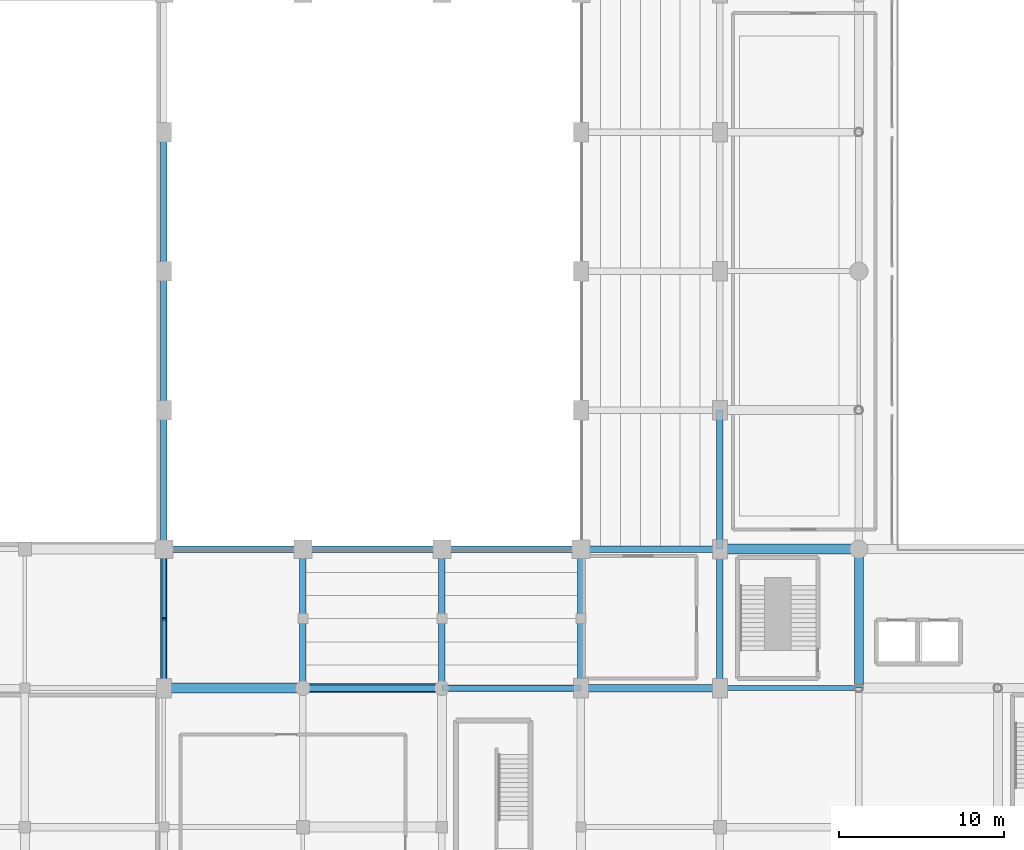
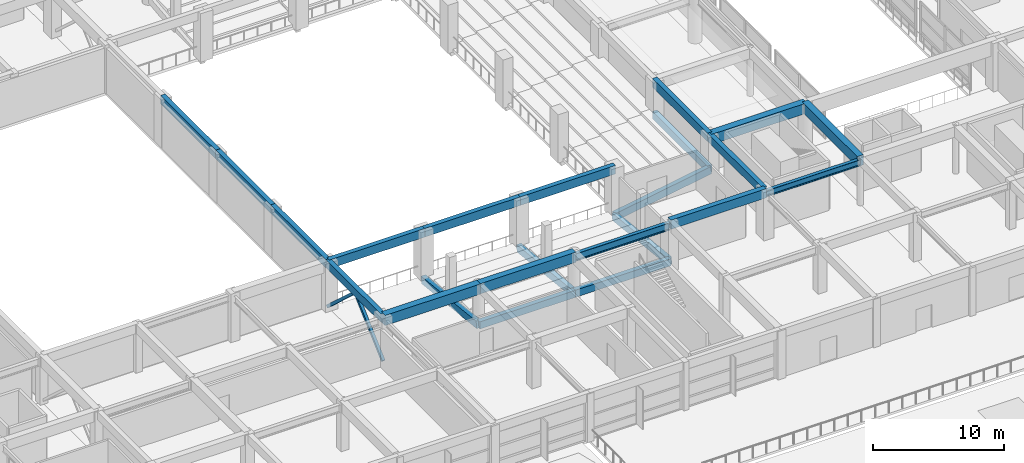
# One storey, part 16 of 60: 26 beams, 2 members.
"""IFC4 building model written with IfcOpenShell, lengths in metres."""

from ifc_helpers import new_model, si_unit, direction, frame, origin, origin_2d, place, context, subcontext, project, spatial, rectangle, hollow_rectangle, i_section, extrude, material, material_profile, profile_set, type_object, element, save


model = new_model("IFC4")

# Units and contexts
model_context = context("Model", 3, precision=1e-05, world=origin(), true_north=direction((0.0, 1.0)))
body_context = subcontext(model_context, "Body", "Model", "MODEL_VIEW")
ifc_project = project(units=[si_unit("LENGTHUNIT", "METRE"), si_unit("AREAUNIT", "SQUARE_METRE"), si_unit("VOLUMEUNIT", "CUBIC_METRE"), si_unit("PLANEANGLEUNIT", "RADIAN"), si_unit("MASSUNIT", "GRAM", prefix="KILO")], contexts=[model_context])

# Site, building, storey
site_placement = place(None, origin())
site = spatial("IfcSite", under=ifc_project, at=site_placement, CompositionType="ELEMENT")
building_placement = place(site_placement, origin())
building = spatial("IfcBuilding", under=site, at=building_placement, Name="Xuanlan Plaza Opera House", CompositionType="ELEMENT")
storey_placement = place(building_placement, frame((0.0, 0.0, 9.89990234375)))
storey = spatial("IfcBuildingStorey", under=building, at=storey_placement, Name="L02", CompositionType="ELEMENT", Elevation=9.89990234375)

# Beams
ifc_material_1 = material(Name="Concrete C50", Category="concrete")
ifc_material_profile_1 = material_profile(ifc_material_1, rectangle(XDim=0.60009765625, YDim=0.949951171875, at=origin_2d()), Name="RC-BM 600x950")
ifc_profile_set_1 = profile_set([ifc_material_profile_1], Name="Concrete C50")
beam_type_1 = type_object("IfcBeamType", Name="STR-BM-B-01", PredefinedType="BEAM", material=ifc_profile_set_1)
beam_1_placement = place(storey_placement, frame((67.199951171875, 33.60009765625, 4.025146484375), z_axis=(1.0, 0.0, 0.0), x_axis=(0.0, 1.0, 0.0)))
element("IfcBeam", 1, at=beam_1_placement, inside=storey, type_object=beam_type_1, Name="Grid Beam X L02 9-10/E", PredefinedType="BEAM", context=body_context, shape_type="SweptSolid", body=[
    extrude(rectangle(XDim=0.60009765625, YDim=0.949951171875, at=origin_2d()), origin(), (0.0, 0.0, 1.0), 8.400146484375),
])
beam_2_placement = place(storey_placement, frame((100.800048828125, 42.0, 4.025146484375), z_axis=(1.0, 0.0, 0.0), x_axis=(0.0, 1.0, 0.0)))
element("IfcBeam", 2, at=beam_2_placement, inside=storey, type_object=beam_type_1, Name="Grid Beam X L02 13-14/F", PredefinedType="BEAM", context=body_context, shape_type="SweptSolid", body=[
    extrude(rectangle(XDim=0.60009765625, YDim=0.949951171875, at=origin_2d()), origin(), (0.0, 0.0, 1.0), 8.39990234375),
])
ifc_material_profile_2 = material_profile(ifc_material_1, rectangle(XDim=0.550048828125, YDim=0.949951171875, at=origin_2d()), Name="RC-BM 550x950")
ifc_profile_set_2 = profile_set([ifc_material_profile_2], Name="Concrete C50")
beam_type_2 = type_object("IfcBeamType", Name="STR-BM-B-02", PredefinedType="BEAM", material=ifc_profile_set_2)
for number, where, z_axis, x_axis, name in (
    (3, (75.60009765625, 33.60009765625, 4.025146484375), (1.0, 0.0, 0.0), (0.0, 1.0, 0.0), "Grid Beam X L02 10-11/E"),
    (4, (109.199951171875, 33.60009765625, 4.025146484375), (0.0, 1.0, 0.0), (-1.0, 0.0, 0.0), "Grid Beam Y L02 14/E-F"),
):
    element("IfcBeam", number, at=place(storey_placement, frame(where, z_axis=z_axis, x_axis=x_axis)), inside=storey, type_object=beam_type_2, Name=name, PredefinedType="BEAM", context=body_context, shape_type="SweptSolid", body=[
        extrude(rectangle(XDim=0.550048828125, YDim=0.949951171875, at=origin_2d()), origin(), (0.0, 0.0, 1.0), 8.39990234375),
    ])
ifc_material_2 = material(Name="Concrete C40", Category="concrete")
ifc_material_profile_3 = material_profile(ifc_material_2, rectangle(XDim=0.449951171875, YDim=0.85009765625, at=origin_2d()), Name="RC-BM 450x850")
ifc_profile_set_3 = profile_set([ifc_material_profile_3], Name="Concrete C40")
beam_type_3 = type_object("IfcBeamType", Name="STR-BM-B-04", PredefinedType="BEAM", material=ifc_profile_set_3)
beam_3_placement = place(storey_placement, frame((92.39990234375, 33.60009765625, 4.0751953125), z_axis=(1.0, 0.0, 0.0), x_axis=(0.0, 1.0, 0.0)))
element("IfcBeam", 5, at=beam_3_placement, inside=storey, type_object=beam_type_3, Name="Grid Beam X L02 12-13/E", PredefinedType="BEAM", context=body_context, shape_type="SweptSolid", body=[
    extrude(rectangle(XDim=0.449951171875, YDim=0.85009765625, at=origin_2d()), origin(), (0.0, 0.0, 1.0), 8.400146484375),
])
ifc_material_profile_4 = material_profile(ifc_material_2, rectangle(XDim=0.39990234375, YDim=0.75, at=origin_2d()), Name="RC-BM 400x750")
ifc_profile_set_4 = profile_set([ifc_material_profile_4], Name="Concrete C40")
beam_type_4 = type_object("IfcBeamType", Name="STR-BM-B-06", PredefinedType="BEAM", material=ifc_profile_set_4)
for number, where, z_axis, x_axis, name in (
    (6, (67.199951171875, 33.60009765625, 4.125), (0.0, 1.0, 0.0), (-1.0, 0.0, 0.0), "Grid Beam Y L02 9/E-F"),
    (7, (100.800048828125, 33.60009765625, 4.125), (0.0, 1.0, 0.0), (-1.0, 0.0, 0.0), "Grid Beam Y L02 13/E-F"),
):
    element("IfcBeam", number, at=place(storey_placement, frame(where, z_axis=z_axis, x_axis=x_axis)), inside=storey, type_object=beam_type_4, Name=name, PredefinedType="BEAM", context=body_context, shape_type="SweptSolid", body=[
        extrude(rectangle(XDim=0.39990234375, YDim=0.75, at=origin_2d()), origin(), (0.0, 0.0, 1.0), 8.39990234375),
    ])
ifc_material_profile_5 = material_profile(ifc_material_2, rectangle(XDim=0.39990234375, YDim=0.679931640625, at=origin_2d()), Name="RC-RKR 400x680")
ifc_profile_set_5 = profile_set([ifc_material_profile_5], Name="Concrete C40")
beam_type_5 = type_object("IfcBeamType", Name="STR-BM-RK-02", PredefinedType="BEAM", material=ifc_profile_set_5)
beam_4_placement = place(storey_placement, frame((92.39990234375, 42.0, -0.33984375), z_axis=(0.985623890385, 0.0, 0.168954273999), x_axis=(0.0, 1.0, 0.0)))
element("IfcBeam", 8, at=beam_4_placement, inside=storey, type_object=beam_type_5, Name="Auditorium Tier Raker Beam L02 Y42", PredefinedType="BEAM", context=body_context, shape_type="SweptSolid", body=[
    extrude(rectangle(XDim=0.39990234375, YDim=0.679931640625, at=origin_2d()), origin(), (0.0, 0.0, 1.0), 8.522705078125),
])
ifc_material_profile_6 = material_profile(ifc_material_2, rectangle(XDim=0.39990234375, YDim=0.659912109375, at=origin_2d()), Name="RC-RKR 400x660")
ifc_profile_set_6 = profile_set([ifc_material_profile_6], Name="Concrete C40")
beam_type_6 = type_object("IfcBeamType", Name="STR-BM-RK-03", PredefinedType="BEAM", material=ifc_profile_set_6)
for number, where, z_axis, x_axis, name in (
    (9, (75.60009765625, 33.60009765625, 0.570068359375), (1.0, 0.0, 0.0), (0.0, 1.0, 0.0), "Side Vineyard Tier Header Beam L02 South 1"),
    (10, (84.0, 33.60009765625, 0.570068359375), (1.0, 0.0, 0.0), (0.0, 1.0, 0.0), "Side Vineyard Tier Header Beam L02 South 2"),
):
    element("IfcBeam", number, at=place(storey_placement, frame(where, z_axis=z_axis, x_axis=x_axis)), inside=storey, type_object=beam_type_6, Name=name, PredefinedType="BEAM", context=body_context, shape_type="SweptSolid", body=[
        extrude(rectangle(XDim=0.39990234375, YDim=0.659912109375, at=origin_2d()), origin(), (0.0, 0.0, 1.0), 8.39990234375),
    ])
ifc_material_profile_7 = material_profile(ifc_material_2, rectangle(XDim=0.39990234375, YDim=0.659912109375, at=origin_2d()), Name="RC-RKR 400x660")
ifc_profile_set_7 = profile_set([ifc_material_profile_7], Name="Concrete C40")
beam_type_7 = type_object("IfcBeamType", Name="STR-BM-RK-04", PredefinedType="BEAM", material=ifc_profile_set_7)
for number, where, z_axis, x_axis, name in (
    (11, (75.60009765625, 42.0, -0.329833984375), (0.0, -0.994310247159, 0.106522919579), (1.0, 0.0, 0.0), "Side Vineyard Tier Raker L02 South X75A"),
    (12, (75.60009765625, 37.800048828125, 0.1201171875), (0.0, -0.994310247159, 0.106522919579), (1.0, 0.0, 0.0), "Side Vineyard Tier Raker L02 South X75B"),
    (13, (84.0, 42.0, -0.329833984375), (0.0, -0.994310247159, 0.106522919579), (1.0, 0.0, 0.0), "Side Vineyard Tier Raker L02 South X84A"),
    (14, (84.0, 37.800048828125, 0.1201171875), (0.0, -0.994310247159, 0.106522919579), (1.0, 0.0, 0.0), "Side Vineyard Tier Raker L02 South X84B"),
    (15, (92.39990234375, 42.0, -0.329833984375), (0.0, -0.994310247159, 0.106522919579), (1.0, 0.0, 0.0), "Side Vineyard Tier Raker L02 South X92A"),
    (16, (92.39990234375, 37.800048828125, 0.1201171875), (0.0, -0.994310247159, 0.106522919579), (1.0, 0.0, 0.0), "Side Vineyard Tier Raker L02 South X92B"),
):
    element("IfcBeam", number, at=place(storey_placement, frame(where, z_axis=z_axis, x_axis=x_axis)), inside=storey, type_object=beam_type_7, Name=name, PredefinedType="BEAM", context=body_context, shape_type="SweptSolid", body=[
        extrude(rectangle(XDim=0.39990234375, YDim=0.659912109375, at=origin_2d()), origin(), (0.0, 0.0, 1.0), 4.223876953125),
    ])
ifc_material_profile_8 = material_profile(ifc_material_2, rectangle(XDim=0.39990234375, YDim=0.679931640625, at=origin_2d()), Name="RC-RKR 400x680")
ifc_profile_set_8 = profile_set([ifc_material_profile_8], Name="Concrete C40")
beam_type_8 = type_object("IfcBeamType", Name="STR-BM-RKH-02", PredefinedType="BEAM", material=ifc_profile_set_8)
beam_5_placement = place(storey_placement, frame((100.800048828125, 42.0, 1.10009765625), z_axis=(0.0, 1.0, 0.0), x_axis=(-1.0, 0.0, 0.0)))
element("IfcBeam", 17, at=beam_5_placement, inside=storey, type_object=beam_type_8, Name="Auditorium Tier Header Beam L02-1", PredefinedType="BEAM", context=body_context, shape_type="SweptSolid", body=[
    extrude(rectangle(XDim=0.39990234375, YDim=0.679931640625, at=origin_2d()), origin(), (0.0, 0.0, 1.0), 8.39990234375),
])
ifc_material_3 = material(Name="Steel Q355B", Category="steel")
ifc_material_profile_9 = material_profile(ifc_material_3, i_section(OverallWidth=0.300048828125, OverallDepth=0.699951171875, WebThickness=0.012939453125, FlangeThickness=0.02392578125, FilletRadius=0.02392578125, at=origin_2d()), Name="HN 700x300x13x24")
ifc_profile_set_9 = profile_set([ifc_material_profile_9], Name="Steel Q355B")
beam_type_9 = type_object("IfcBeamType", Name="STR-BM-SB-03", PredefinedType="BEAM", material=ifc_profile_set_9)
beam_6_placement = place(storey_placement, frame((84.0, 33.60009765625, 3.885009765625), z_axis=(1.0, 0.0, 0.0), x_axis=(0.0, 1.0, 0.0)))
element("IfcBeam", 18, at=beam_6_placement, inside=storey, type_object=beam_type_9, Name="Grid Beam X L02 11-12/E", PredefinedType="BEAM", context=body_context, shape_type="SweptSolid", body=[
    extrude(i_section(OverallWidth=0.300048828125, OverallDepth=0.699951171875, WebThickness=0.012939453125, FlangeThickness=0.02392578125, FilletRadius=0.02392578125, at=origin_2d()), origin(), (0.0, 0.0, 1.0), 8.39990234375),
])
ifc_material_profile_10 = material_profile(ifc_material_3, i_section(OverallWidth=0.300048828125, OverallDepth=0.587890625, WebThickness=0.011962890625, FlangeThickness=0.02001953125, FilletRadius=0.02392578125, at=origin_2d()), Name="HM 588x300x12x20")
ifc_profile_set_10 = profile_set([ifc_material_profile_10], Name="Steel Q355B")
beam_type_10 = type_object("IfcBeamType", Name="STR-BM-SB-06", PredefinedType="BEAM", material=ifc_profile_set_10)
beam_7_placement = place(storey_placement, frame((100.800048828125, 33.60009765625, 3.941162109375), z_axis=(1.0, 0.0, 0.0), x_axis=(0.0, 1.0, 0.0)))
element("IfcBeam", 19, at=beam_7_placement, inside=storey, type_object=beam_type_10, Name="Grid Beam X L02 13-14/E", PredefinedType="BEAM", context=body_context, shape_type="SweptSolid", body=[
    extrude(i_section(OverallWidth=0.300048828125, OverallDepth=0.587890625, WebThickness=0.011962890625, FlangeThickness=0.02001953125, FilletRadius=0.02392578125, at=origin_2d()), origin(), (0.0, 0.0, 1.0), 8.39990234375),
])
ifc_material_profile_11 = material_profile(ifc_material_2, rectangle(XDim=0.39990234375, YDim=0.800048828125, at=origin_2d()), Name="RC-SPD 400x800")
ifc_profile_set_11 = profile_set([ifc_material_profile_11], Name="Concrete C40")
beam_type_11 = type_object("IfcBeamType", Name="STR-BM-SP-01", PredefinedType="SPANDREL", material=ifc_profile_set_11)
beam_8_placement = place(storey_placement, frame((67.199951171875, 42.0, 4.10009765625), z_axis=(1.0, 0.0, 0.0), x_axis=(0.0, 1.0, 0.0)))
element("IfcBeam", 20, at=beam_8_placement, inside=storey, type_object=beam_type_11, Name="Grid Beam X L02 9-10/F", PredefinedType="SPANDREL", context=body_context, shape_type="SweptSolid", body=[
    extrude(rectangle(XDim=0.39990234375, YDim=0.800048828125, at=origin_2d()), origin(), (0.0, 0.0, 1.0), 8.400146484375),
])
for number, where, z_axis, x_axis, name in (
    (21, (75.60009765625, 42.0, 4.10009765625), (1.0, 0.0, 0.0), (0.0, 1.0, 0.0), "Grid Beam X L02 10-11/F"),
    (22, (84.0, 42.0, 4.10009765625), (1.0, 0.0, 0.0), (0.0, 1.0, 0.0), "Grid Beam X L02 11-12/F"),
    (23, (67.199951171875, 42.0, 4.10009765625), (0.0, 1.0, 0.0), (-1.0, 0.0, 0.0), "Grid Beam Y L02 9/F-G"),
):
    element("IfcBeam", number, at=place(storey_placement, frame(where, z_axis=z_axis, x_axis=x_axis)), inside=storey, type_object=beam_type_11, Name=name, PredefinedType="SPANDREL", context=body_context, shape_type="SweptSolid", body=[
        extrude(rectangle(XDim=0.39990234375, YDim=0.800048828125, at=origin_2d()), origin(), (0.0, 0.0, 1.0), 8.39990234375),
    ])
beam_9_placement = place(storey_placement, frame((67.199951171875, 50.39990234375, 4.10009765625), z_axis=(0.0, 1.0, 0.0), x_axis=(-1.0, 0.0, 0.0)))
element("IfcBeam", 24, at=beam_9_placement, inside=storey, type_object=beam_type_11, Name="Grid Beam Y L02 9/G-H", PredefinedType="SPANDREL", context=body_context, shape_type="SweptSolid", body=[
    extrude(rectangle(XDim=0.39990234375, YDim=0.800048828125, at=origin_2d()), origin(), (0.0, 0.0, 1.0), 8.400146484375),
])
for number, where, z_axis, x_axis, name in (
    (25, (67.199951171875, 58.800048828125, 4.10009765625), (0.0, 1.0, 0.0), (-1.0, 0.0, 0.0), "Grid Beam Y L02 9/H-I"),
    (26, (100.800048828125, 42.0, 4.10009765625), (0.0, 1.0, 0.0), (-1.0, 0.0, 0.0), "Grid Beam Y L02 13/F-G"),
):
    element("IfcBeam", number, at=place(storey_placement, frame(where, z_axis=z_axis, x_axis=x_axis)), inside=storey, type_object=beam_type_11, Name=name, PredefinedType="SPANDREL", context=body_context, shape_type="SweptSolid", body=[
        extrude(rectangle(XDim=0.39990234375, YDim=0.800048828125, at=origin_2d()), origin(), (0.0, 0.0, 1.0), 8.39990234375),
    ])

# Members
ifc_material_profile_12 = material_profile(ifc_material_3, hollow_rectangle(XDim=0.25, YDim=0.25, WallThickness=0.011962890625, at=origin_2d()), Name="SHS 250x250x12")
ifc_profile_set_12 = profile_set([ifc_material_profile_12], Name="Steel Q355B")
member_type = type_object("IfcMemberType", Name="STR-MEM-BR-06", PredefinedType="BRACE", material=ifc_profile_set_12)
for number, where, z_axis, x_axis, name in (
    (27, (67.199951171875, 33.60009765625, 0.10009765625), (0.0, 0.737141689437, 0.675738210918), (-1.0, 0.0, 0.0), "Stage Lateral Chevron Brace L02-2A"),
    (28, (67.199951171875, 42.0, 0.10009765625), (0.0, -0.737141689437, 0.675738210918), (1.0, 0.0, 0.0), "Stage Lateral Chevron Brace L02-2B"),
):
    element("IfcMember", number, at=place(storey_placement, frame(where, z_axis=z_axis, x_axis=x_axis)), inside=storey, type_object=member_type, Name=name, PredefinedType="BRACE", context=body_context, shape_type="SweptSolid", body=[
        extrude(hollow_rectangle(XDim=0.25, YDim=0.25, WallThickness=0.011962890625, at=origin_2d()), origin(), (0.0, 0.0, 1.0), 5.697509765625),
    ])

save(model, "model.ifc")
